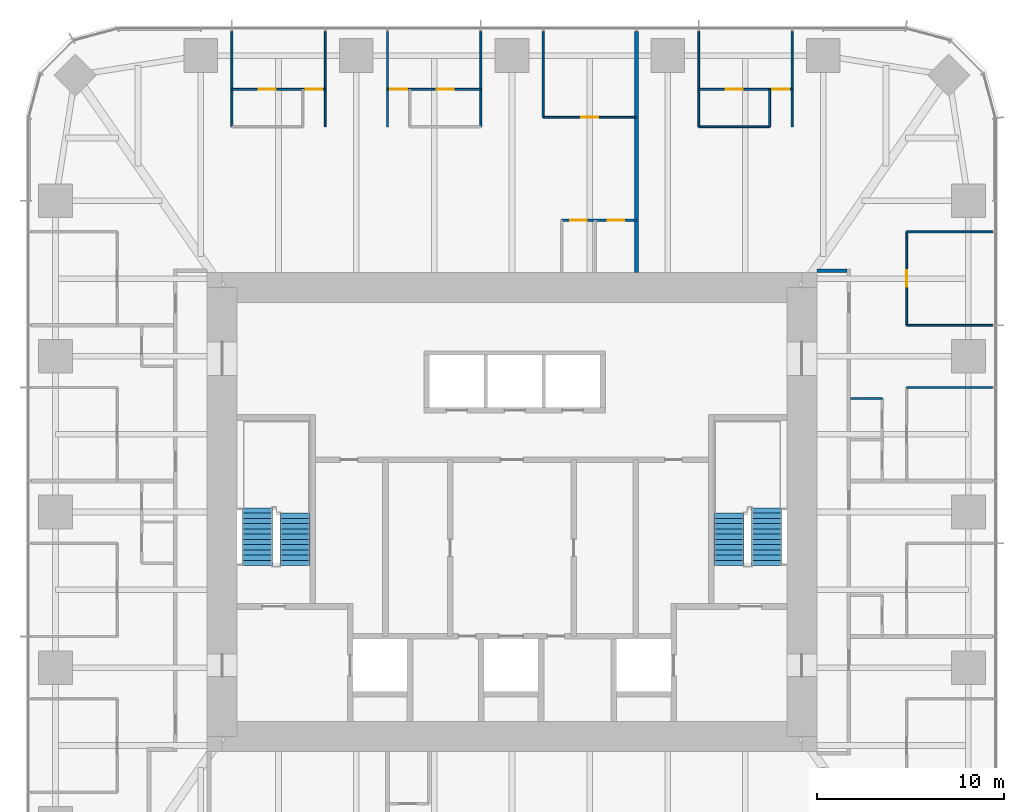
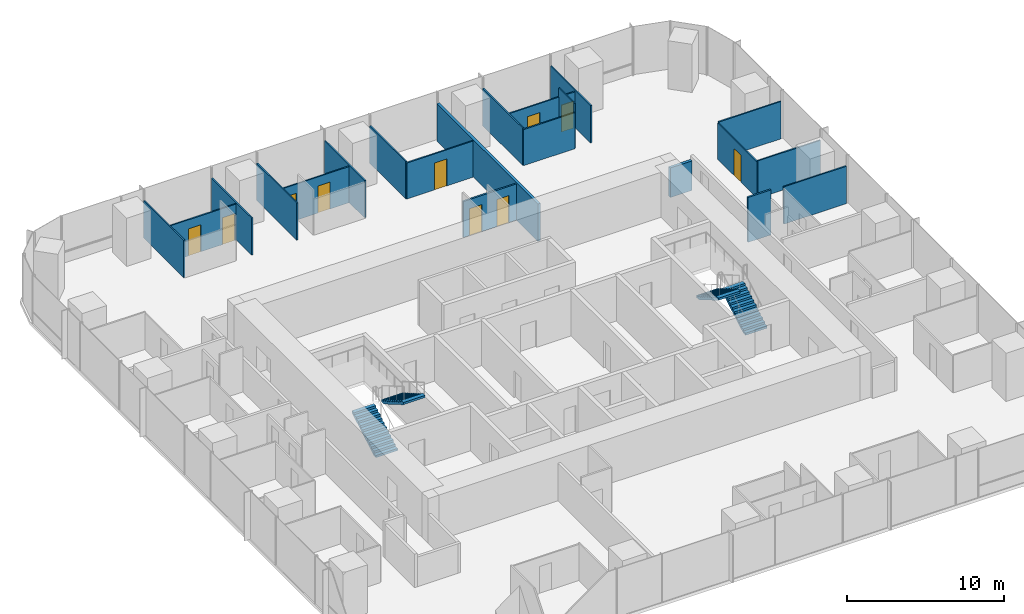
# One storey, part 11 of 12: 21 walls, 10 doors, 4 stair flights, 10 openings, 2 elements without a shape of their own.
"""IFC4 building model written with IfcOpenShell, lengths in metres."""

from ifc_helpers import new_model, si_unit, direction, frame, frame_2d, origin, place, context, subcontext, project, spatial, polyline, rectangle, outline, extrude, material, layer, layer_set, type_object, element, fill, aggregate, save


model = new_model("IFC4")

# Units and contexts
model_context = context("Model", 3, precision=1e-05, world=origin(), true_north=direction((0.0, 1.0)))
body_context = subcontext(model_context, "Body", "Model", "MODEL_VIEW")
ifc_project = project(units=[si_unit("LENGTHUNIT", "METRE"), si_unit("AREAUNIT", "SQUARE_METRE"), si_unit("VOLUMEUNIT", "CUBIC_METRE"), si_unit("PLANEANGLEUNIT", "RADIAN"), si_unit("MASSUNIT", "GRAM", prefix="KILO")], contexts=[model_context])

# Site, building, storey
site_placement = place(None, origin())
site = spatial("IfcSite", under=ifc_project, at=site_placement, CompositionType="ELEMENT")
building_placement = place(site_placement, origin())
building = spatial("IfcBuilding", under=site, at=building_placement, Name="Khuree Lantern Residences", CompositionType="ELEMENT")
storey_placement = place(building_placement, frame((0.0, 0.0, 244.5)))
storey = spatial("IfcBuildingStorey", under=building, at=storey_placement, Name="L61", CompositionType="ELEMENT", Elevation=244.5)

# Wall
ifc_material_1 = material(Name="Moisture-resistant gypsum board on steel studs", Category="steel")
ifc_layer_1 = layer(ifc_material_1, 0.125)
ifc_layer_set_1 = layer_set([ifc_layer_1], Name="BATHROOM WALL BTW125")
wall_type_1 = type_object("IfcWallType", Name="BATHROOM WALL BTW125", PredefinedType="PARTITIONING", material=ifc_layer_set_1)
wall_1_placement = place(storey_placement, frame((18.10009765625, 6.06396484375, 0.0), z_axis=(0.0, 0.0, 1.0), x_axis=(1.0, 0.0, 0.0)))
element("IfcWall", 1, at=wall_1_placement, inside=storey, type_object=wall_type_1, Name="L61 BATHROOM WALL 02", PredefinedType="PARTITIONING", context=body_context, shape_type="SweptSolid", body=[
    extrude(rectangle(XDim=1.699951171875, YDim=0.125, at=frame_2d((0.85009765625, 0.0))), origin(), (0.0, 0.0, 1.0), 3.5),
])

# Wall, openings, doors
wall_2_placement = place(storey_placement, frame((6.656005859375, 15.60009765625, 0.0), z_axis=(0.0, 0.0, 1.0), x_axis=(-1.0, 0.0, 0.0)))
wall_2 = element("IfcWall", 2, at=wall_2_placement, inside=storey, type_object=wall_type_1, Name="L61 BATHROOM WALL 03", PredefinedType="PARTITIONING", context=body_context, shape_type="SweptSolid", body=[
    extrude(rectangle(XDim=4.0, YDim=0.125, at=frame_2d((2.0, 0.0))), origin(), (0.0, 0.0, 1.0), 2.81005859375),
])
opening_1_placement = place(wall_2_placement, frame((0.64990234375, 0.0, 0.0)))
opening_1 = element("IfcOpeningElement", 3, at=opening_1_placement, cuts=wall_2, Name="Opening 61-036", PredefinedType="OPENING", context=body_context, shape_type="SweptSolid", body=[
    extrude(rectangle(XDim=0.89990234375, YDim=2.10009765625, at=frame_2d((0.449951171875, 1.050048828125))), frame((0.0, 0.072509765625, 0.0), z_axis=(0.0, -1.0, 0.0), x_axis=(1.0, 0.0, 0.0)), (0.0, 0.0, 1.0), 0.14501953125),
])
opening_2_placement = place(wall_2_placement, frame((2.64990234375, 0.0, 0.0)))
opening_2 = element("IfcOpeningElement", 4, at=opening_2_placement, cuts=wall_2, Name="Opening 61-037", PredefinedType="OPENING", context=body_context, shape_type="SweptSolid", body=[
    extrude(rectangle(XDim=0.89990234375, YDim=2.10009765625, at=frame_2d((0.449951171875, 1.050048828125))), frame((0.0, 0.072509765625, 0.0), z_axis=(0.0, -1.0, 0.0), x_axis=(1.0, 0.0, 0.0)), (0.0, 0.0, 1.0), 0.14501953125),
])
ifc_material_2 = material(Name="Timber door leaf in hardwood frame", Category="wood")
door_type_1 = type_object("IfcDoorType", Name="BATHROOM DOOR 900X2100", OperationType="SINGLE_SWING_LEFT", PredefinedType="DOOR", material=ifc_material_2)
door_1_placement = place(opening_1_placement, origin())
door_1 = element("IfcDoor", 5, at=door_1_placement, inside=storey, type_object=door_type_1, Name="Bathroom door 61-036", OperationType="SINGLE_SWING_LEFT", OverallHeight=2.10009765625, OverallWidth=0.89990234375, PredefinedType="DOOR", context=body_context, shape_type="SweptSolid", body=[
    extrude(rectangle(XDim=0.89990234375, YDim=2.10009765625, at=frame_2d((0.449951171875, 1.050048828125))), frame((0.0, 0.02490234375, 0.0), z_axis=(0.0, -1.0, 0.0), x_axis=(1.0, 0.0, 0.0)), (0.0, 0.0, 1.0), 0.050048828125),
])
fill(opening_1, door_1)
door_type_2 = type_object("IfcDoorType", Name="DOOR 900X2100", OperationType="SINGLE_SWING_LEFT", PredefinedType="DOOR", material=ifc_material_2)
door_2_placement = place(opening_2_placement, origin())
door_2 = element("IfcDoor", 6, at=door_2_placement, inside=storey, type_object=door_type_2, Name="Store door 61-037", OperationType="SINGLE_SWING_LEFT", OverallHeight=2.10009765625, OverallWidth=0.89990234375, PredefinedType="DOOR", context=body_context, shape_type="SweptSolid", body=[
    extrude(rectangle(XDim=0.89990234375, YDim=2.10009765625, at=frame_2d((0.449951171875, 1.050048828125))), frame((0.0, 0.02490234375, 0.0), z_axis=(0.0, -1.0, 0.0), x_axis=(1.0, 0.0, 0.0)), (0.0, 0.0, 1.0), 0.050048828125),
])
fill(opening_2, door_2)

# Walls
ifc_material_3 = material(Name="Gypsum board on steel studs", Category="steel")
ifc_layer_2 = layer(ifc_material_3, 0.199951171875)
ifc_layer_set_2 = layer_set([ifc_layer_2], Name="CORRIDOR WALL CRW200 EI 60")
wall_type_2 = type_object("IfcWallType", Name="CORRIDOR WALL CRW200 EI 60", PredefinedType="PARTITIONING", material=ifc_layer_set_2)
wall_3_placement = place(storey_placement, frame((16.300048828125, 12.89990234375, 0.0), z_axis=(0.0, 0.0, 1.0), x_axis=(1.0, 0.0, 0.0)))
element("IfcWall", 7, at=wall_3_placement, inside=storey, type_object=wall_type_2, Name="L61 EAST CORRIDOR NORTH END WALL", PredefinedType="PARTITIONING", context=body_context, shape_type="SweptSolid", body=[
    extrude(rectangle(XDim=1.599853515625, YDim=0.199951171875, at=frame_2d((0.7998046875, 0.0))), origin(), (0.0, 0.0, 1.0), 2.300048828125),
])
ifc_layer_3 = layer(ifc_material_3, 0.199951171875)
ifc_layer_set_3 = layer_set([ifc_layer_3], Name="DEMISING WALL DMW200 EI 90")
wall_type_3 = type_object("IfcWallType", Name="DEMISING WALL DMW200 EI 90", PredefinedType="PARTITIONING", material=ifc_layer_set_3)
wall_4_placement = place(storey_placement, frame((6.656005859375, 12.800048828125, 0.0), z_axis=(0.0, 0.0, 1.0), x_axis=(0.0, 1.0, 0.0)))
element("IfcWall", 8, at=wall_4_placement, inside=storey, type_object=wall_type_3, Name="L61 DEMISING WALL 03", PredefinedType="PARTITIONING", context=body_context, shape_type="SweptSolid", body=[
    extrude(rectangle(XDim=12.89990234375, YDim=0.199951171875, at=frame_2d((6.449951171875, 0.0))), origin(), (0.0, 0.0, 1.0), 2.909912109375),
])
ifc_layer_4 = layer(ifc_material_3, 0.10009765625)
ifc_layer_set_4 = layer_set([ifc_layer_4], Name="PARTITION PT100")
wall_type_4 = type_object("IfcWallType", Name="PARTITION PT100", PredefinedType="PARTITIONING", material=ifc_layer_set_4)
for number, where, z_axis, x_axis, name in (
    (9, (21.10009765625, 6.656005859375, 0.0), (0.0, 0.0, 1.0), (1.0, 0.0, 0.0), "L61 PARTITION 02"),
    (10, (21.10009765625, 9.98388671875, 0.0), (0.0, 0.0, 1.0), (1.0, 0.0, 0.0), "L61 PARTITION 02"),
    (11, (21.10009765625, 14.97607421875, 0.0), (0.0, 0.0, 1.0), (1.0, 0.0, 0.0), "L61 PARTITION 02"),
):
    element("IfcWall", number, at=place(storey_placement, frame(where, z_axis=z_axis, x_axis=x_axis)), inside=storey, type_object=wall_type_4, Name=name, PredefinedType="PARTITIONING", context=body_context, shape_type="SweptSolid", body=[
        extrude(rectangle(XDim=4.599853515625, YDim=0.10009765625, at=frame_2d((2.2998046875, 0.0))), origin(), (0.0, 0.0, 1.0), 2.909912109375),
    ])
for number, where, z_axis, x_axis, name in (
    (12, (14.97607421875, 20.594970703125, 0.0), (0.0, 0.0, 1.0), (0.0, 1.0, 0.0), "L61 PARTITION 02"),
    (13, (9.98388671875, 20.594970703125, 0.0), (0.0, 0.0, 1.0), (0.0, 1.0, 0.0), "L61 PARTITION 02"),
):
    element("IfcWall", number, at=place(storey_placement, frame(where, z_axis=z_axis, x_axis=x_axis)), inside=storey, type_object=wall_type_4, Name=name, PredefinedType="PARTITIONING", context=body_context, shape_type="SweptSolid", body=[
        extrude(rectangle(XDim=5.10498046875, YDim=0.10009765625, at=frame_2d((2.552490234375, 0.0))), origin(), (0.0, 0.0, 1.0), 2.909912109375),
    ])
wall_5_placement = place(storey_placement, frame((1.6640625, 21.10009765625, 0.0), z_axis=(0.0, 0.0, 1.0), x_axis=(0.0, 1.0, 0.0)))
element("IfcWall", 14, at=wall_5_placement, inside=storey, type_object=wall_type_4, Name="L61 PARTITION 03", PredefinedType="PARTITIONING", context=body_context, shape_type="SweptSolid", body=[
    extrude(rectangle(XDim=4.599853515625, YDim=0.10009765625, at=frame_2d((2.2998046875, 0.0))), origin(), (0.0, 0.0, 1.0), 2.909912109375),
])
for number, where, z_axis, x_axis, name in (
    (15, (-1.6640625, 20.594970703125, 0.0), (0.0, 0.0, 1.0), (0.0, 1.0, 0.0), "L61 PARTITION 03"),
    (16, (-6.656005859375, 20.594970703125, 0.0), (0.0, 0.0, 1.0), (0.0, 1.0, 0.0), "L61 PARTITION 03"),
    (17, (-9.98388671875, 20.594970703125, 0.0), (0.0, 0.0, 1.0), (0.0, 1.0, 0.0), "L61 PARTITION 03"),
    (18, (-14.97607421875, 20.594970703125, 0.0), (0.0, 0.0, 1.0), (0.0, 1.0, 0.0), "L61 PARTITION 03"),
):
    element("IfcWall", number, at=place(storey_placement, frame(where, z_axis=z_axis, x_axis=x_axis)), inside=storey, type_object=wall_type_4, Name=name, PredefinedType="PARTITIONING", context=body_context, shape_type="SweptSolid", body=[
        extrude(rectangle(XDim=5.10498046875, YDim=0.10009765625, at=frame_2d((2.552490234375, 0.0))), origin(), (0.0, 0.0, 1.0), 2.909912109375),
    ])

# Wall, opening, door
wall_6_placement = place(storey_placement, frame((21.10009765625, 9.98388671875, 0.0), z_axis=(0.0, 0.0, 1.0), x_axis=(0.0, 1.0, 0.0)))
wall_6 = element("IfcWall", 19, at=wall_6_placement, inside=storey, type_object=wall_type_4, Name="L61 PARTITION 02", PredefinedType="PARTITIONING", context=body_context, shape_type="SweptSolid", body=[
    extrude(rectangle(XDim=4.9921875, YDim=0.10009765625, at=frame_2d((2.49609375, 0.0))), origin(), (0.0, 0.0, 1.0), 2.81005859375),
])
opening_3_placement = place(wall_6_placement, frame((2.0458984375, 0.0, 0.0)))
opening_3 = element("IfcOpeningElement", 20, at=opening_3_placement, cuts=wall_6, Name="Opening 61-024", PredefinedType="OPENING", context=body_context, shape_type="SweptSolid", body=[
    extrude(rectangle(XDim=0.89990234375, YDim=2.10009765625, at=frame_2d((0.449951171875, 1.050048828125))), frame((0.0, 0.06005859375, 0.0), z_axis=(0.0, -1.0, 0.0), x_axis=(1.0, 0.0, 0.0)), (0.0, 0.0, 1.0), 0.1201171875),
])
door_type_3 = type_object("IfcDoorType", Name="BEDROOM DOOR 900X2100", OperationType="SINGLE_SWING_LEFT", PredefinedType="DOOR", material=ifc_material_2)
door_3_placement = place(opening_3_placement, origin())
door_3 = element("IfcDoor", 21, at=door_3_placement, inside=storey, type_object=door_type_3, Name="Bedroom door 61-024", OperationType="SINGLE_SWING_LEFT", OverallHeight=2.10009765625, OverallWidth=0.89990234375, PredefinedType="DOOR", context=body_context, shape_type="SweptSolid", body=[
    extrude(rectangle(XDim=0.89990234375, YDim=2.10009765625, at=frame_2d((0.449951171875, 1.050048828125))), frame((0.0, 0.02490234375, 0.0), z_axis=(0.0, -1.0, 0.0), x_axis=(1.0, 0.0, 0.0)), (0.0, 0.0, 1.0), 0.050048828125),
])
fill(opening_3, door_3)

# Wall, openings, doors
wall_7_placement = place(storey_placement, frame((14.97607421875, 22.594970703125, 0.0), z_axis=(0.0, 0.0, 1.0), x_axis=(-1.0, 0.0, 0.0)))
wall_7 = element("IfcWall", 22, at=wall_7_placement, inside=storey, type_object=wall_type_4, Name="L61 PARTITION 02", PredefinedType="PARTITIONING", context=body_context, shape_type="SweptSolid", body=[
    extrude(rectangle(XDim=4.9921875, YDim=0.10009765625, at=frame_2d((2.49609375, 0.0))), origin(), (0.0, 0.0, 1.0), 2.81005859375),
])
opening_4_placement = place(wall_7_placement, frame((0.14990234375, 0.0, 0.0)))
opening_4 = element("IfcOpeningElement", 23, at=opening_4_placement, cuts=wall_7, Name="Opening 61-025", PredefinedType="OPENING", context=body_context, shape_type="SweptSolid", body=[
    extrude(rectangle(XDim=0.89990234375, YDim=2.10009765625, at=frame_2d((0.449951171875, 1.050048828125))), frame((0.0, 0.06005859375, 0.0), z_axis=(0.0, -1.0, 0.0), x_axis=(1.0, 0.0, 0.0)), (0.0, 0.0, 1.0), 0.1201171875),
])
opening_5_placement = place(wall_7_placement, frame((2.64599609375, 0.0, 0.0)))
opening_5 = element("IfcOpeningElement", 24, at=opening_5_placement, cuts=wall_7, Name="Opening 61-026", PredefinedType="OPENING", context=body_context, shape_type="SweptSolid", body=[
    extrude(rectangle(XDim=0.89990234375, YDim=2.10009765625, at=frame_2d((0.449951171875, 1.050048828125))), frame((0.0, 0.06005859375, 0.0), z_axis=(0.0, -1.0, 0.0), x_axis=(1.0, 0.0, 0.0)), (0.0, 0.0, 1.0), 0.1201171875),
])
door_4_placement = place(opening_4_placement, origin())
door_4 = element("IfcDoor", 25, at=door_4_placement, inside=storey, type_object=door_type_3, Name="Bedroom door 61-025", OperationType="SINGLE_SWING_LEFT", OverallHeight=2.10009765625, OverallWidth=0.89990234375, PredefinedType="DOOR", context=body_context, shape_type="SweptSolid", body=[
    extrude(rectangle(XDim=0.89990234375, YDim=2.10009765625, at=frame_2d((0.449951171875, 1.050048828125))), frame((0.0, 0.02490234375, 0.0), z_axis=(0.0, -1.0, 0.0), x_axis=(1.0, 0.0, 0.0)), (0.0, 0.0, 1.0), 0.050048828125),
])
fill(opening_4, door_4)
door_5_placement = place(opening_5_placement, origin())
door_5 = element("IfcDoor", 26, at=door_5_placement, inside=storey, type_object=door_type_2, Name="Wardrobe door 61-026", OperationType="SINGLE_SWING_LEFT", OverallHeight=2.10009765625, OverallWidth=0.89990234375, PredefinedType="DOOR", context=body_context, shape_type="SweptSolid", body=[
    extrude(rectangle(XDim=0.89990234375, YDim=2.10009765625, at=frame_2d((0.449951171875, 1.050048828125))), frame((0.0, 0.02490234375, 0.0), z_axis=(0.0, -1.0, 0.0), x_axis=(1.0, 0.0, 0.0)), (0.0, 0.0, 1.0), 0.050048828125),
])
fill(opening_5, door_5)

# Walls
wall_8_placement = place(storey_placement, frame((13.77587890625, 20.594970703125, 0.0), z_axis=(0.0, 0.0, 1.0), x_axis=(0.0, 1.0, 0.0)))
element("IfcWall", 27, at=wall_8_placement, inside=storey, type_object=wall_type_4, Name="L61 PARTITION 02", PredefinedType="PARTITIONING", context=body_context, shape_type="SweptSolid", body=[
    extrude(rectangle(XDim=2.0, YDim=0.10009765625, at=frame_2d((1.0, 0.0))), origin(), (0.0, 0.0, 1.0), 3.5),
])
wall_9_placement = place(storey_placement, frame((13.77587890625, 20.594970703125, 0.0), z_axis=(0.0, 0.0, 1.0), x_axis=(-1.0, 0.0, 0.0)))
element("IfcWall", 28, at=wall_9_placement, inside=storey, type_object=wall_type_4, Name="L61 PARTITION 02", PredefinedType="PARTITIONING", context=body_context, shape_type="SweptSolid", body=[
    extrude(rectangle(XDim=3.7919921875, YDim=0.10009765625, at=frame_2d((1.89599609375, 0.0))), origin(), (0.0, 0.0, 1.0), 2.81005859375),
])

# Wall, opening, door
wall_10_placement = place(storey_placement, frame((6.656005859375, 21.10009765625, 0.0), z_axis=(0.0, 0.0, 1.0), x_axis=(-1.0, 0.0, 0.0)))
wall_10 = element("IfcWall", 29, at=wall_10_placement, inside=storey, type_object=wall_type_4, Name="L61 PARTITION 03", PredefinedType="PARTITIONING", context=body_context, shape_type="SweptSolid", body=[
    extrude(rectangle(XDim=4.991943359375, YDim=0.10009765625, at=frame_2d((2.49609375, 0.0))), origin(), (0.0, 0.0, 1.0), 2.81005859375),
])
opening_6_placement = place(wall_10_placement, frame((2.0458984375, 0.0, 0.0)))
opening_6 = element("IfcOpeningElement", 30, at=opening_6_placement, cuts=wall_10, Name="Opening 61-030", PredefinedType="OPENING", context=body_context, shape_type="SweptSolid", body=[
    extrude(rectangle(XDim=0.89990234375, YDim=2.10009765625, at=frame_2d((0.449951171875, 1.050048828125))), frame((0.0, 0.06005859375, 0.0), z_axis=(0.0, -1.0, 0.0), x_axis=(1.0, 0.0, 0.0)), (0.0, 0.0, 1.0), 0.1201171875),
])
door_6_placement = place(opening_6_placement, origin())
door_6 = element("IfcDoor", 31, at=door_6_placement, inside=storey, type_object=door_type_3, Name="Bedroom door 61-030", OperationType="SINGLE_SWING_LEFT", OverallHeight=2.10009765625, OverallWidth=0.89990234375, PredefinedType="DOOR", context=body_context, shape_type="SweptSolid", body=[
    extrude(rectangle(XDim=0.89990234375, YDim=2.10009765625, at=frame_2d((0.449951171875, 1.050048828125))), frame((0.0, 0.02490234375, 0.0), z_axis=(0.0, -1.0, 0.0), x_axis=(1.0, 0.0, 0.0)), (0.0, 0.0, 1.0), 0.050048828125),
])
fill(opening_6, door_6)

# Wall, openings, doors
wall_11_placement = place(storey_placement, frame((-1.6640625, 22.594970703125, 0.0), z_axis=(0.0, 0.0, 1.0), x_axis=(-1.0, 0.0, 0.0)))
wall_11 = element("IfcWall", 32, at=wall_11_placement, inside=storey, type_object=wall_type_4, Name="L61 PARTITION 03", PredefinedType="PARTITIONING", context=body_context, shape_type="SweptSolid", body=[
    extrude(rectangle(XDim=4.991943359375, YDim=0.10009765625, at=frame_2d((2.49609375, 0.0))), origin(), (0.0, 0.0, 1.0), 2.81005859375),
])
opening_7_placement = place(wall_11_placement, frame((3.94189453125, 0.0, 0.0)))
opening_7 = element("IfcOpeningElement", 33, at=opening_7_placement, cuts=wall_11, Name="Opening 61-031", PredefinedType="OPENING", context=body_context, shape_type="SweptSolid", body=[
    extrude(rectangle(XDim=0.89990234375, YDim=2.10009765625, at=frame_2d((0.449951171875, 1.050048828125))), frame((0.0, 0.06005859375, 0.0), z_axis=(0.0, -1.0, 0.0), x_axis=(1.0, 0.0, 0.0)), (0.0, 0.0, 1.0), 0.1201171875),
])
opening_8_placement = place(wall_11_placement, frame((1.446044921875, 0.0, 0.0)))
opening_8 = element("IfcOpeningElement", 34, at=opening_8_placement, cuts=wall_11, Name="Opening 61-032", PredefinedType="OPENING", context=body_context, shape_type="SweptSolid", body=[
    extrude(rectangle(XDim=0.89990234375, YDim=2.10009765625, at=frame_2d((0.449951171875, 1.050048828125))), frame((0.0, 0.06005859375, 0.0), z_axis=(0.0, -1.0, 0.0), x_axis=(1.0, 0.0, 0.0)), (0.0, 0.0, 1.0), 0.1201171875),
])
door_7_placement = place(opening_8_placement, origin())
door_7 = element("IfcDoor", 35, at=door_7_placement, inside=storey, type_object=door_type_1, Name="Bathroom door 61-032", OperationType="SINGLE_SWING_LEFT", OverallHeight=2.10009765625, OverallWidth=0.89990234375, PredefinedType="DOOR", context=body_context, shape_type="SweptSolid", body=[
    extrude(rectangle(XDim=0.89990234375, YDim=2.10009765625, at=frame_2d((0.449951171875, 1.050048828125))), frame((0.0, 0.02490234375, 0.0), z_axis=(0.0, -1.0, 0.0), x_axis=(1.0, 0.0, 0.0)), (0.0, 0.0, 1.0), 0.050048828125),
])
fill(opening_8, door_7)
door_8_placement = place(opening_7_placement, origin())
door_8 = element("IfcDoor", 36, at=door_8_placement, inside=storey, type_object=door_type_3, Name="Bedroom door 61-031", OperationType="SINGLE_SWING_LEFT", OverallHeight=2.10009765625, OverallWidth=0.89990234375, PredefinedType="DOOR", context=body_context, shape_type="SweptSolid", body=[
    extrude(rectangle(XDim=0.89990234375, YDim=2.10009765625, at=frame_2d((0.449951171875, 1.050048828125))), frame((0.0, 0.02490234375, 0.0), z_axis=(0.0, -1.0, 0.0), x_axis=(1.0, 0.0, 0.0)), (0.0, 0.0, 1.0), 0.050048828125),
])
fill(opening_7, door_8)

wall_12_placement = place(storey_placement, frame((-9.98388671875, 22.594970703125, 0.0), z_axis=(0.0, 0.0, 1.0), x_axis=(-1.0, 0.0, 0.0)))
wall_12 = element("IfcWall", 37, at=wall_12_placement, inside=storey, type_object=wall_type_4, Name="L61 PARTITION 03", PredefinedType="PARTITIONING", context=body_context, shape_type="SweptSolid", body=[
    extrude(rectangle(XDim=4.9921875, YDim=0.10009765625, at=frame_2d((2.49609375, 0.0))), origin(), (0.0, 0.0, 1.0), 2.81005859375),
])
opening_9_placement = place(wall_12_placement, frame((0.14990234375, 0.0, 0.0)))
opening_9 = element("IfcOpeningElement", 38, at=opening_9_placement, cuts=wall_12, Name="Opening 61-033", PredefinedType="OPENING", context=body_context, shape_type="SweptSolid", body=[
    extrude(rectangle(XDim=0.89990234375, YDim=2.10009765625, at=frame_2d((0.449951171875, 1.050048828125))), frame((0.0, 0.06005859375, 0.0), z_axis=(0.0, -1.0, 0.0), x_axis=(1.0, 0.0, 0.0)), (0.0, 0.0, 1.0), 0.1201171875),
])
opening_10_placement = place(wall_12_placement, frame((2.64599609375, 0.0, 0.0)))
opening_10 = element("IfcOpeningElement", 39, at=opening_10_placement, cuts=wall_12, Name="Opening 61-034", PredefinedType="OPENING", context=body_context, shape_type="SweptSolid", body=[
    extrude(rectangle(XDim=0.89990234375, YDim=2.10009765625, at=frame_2d((0.449951171875, 1.050048828125))), frame((0.0, 0.06005859375, 0.0), z_axis=(0.0, -1.0, 0.0), x_axis=(1.0, 0.0, 0.0)), (0.0, 0.0, 1.0), 0.1201171875),
])
door_9_placement = place(opening_9_placement, origin())
door_9 = element("IfcDoor", 40, at=door_9_placement, inside=storey, type_object=door_type_3, Name="Bedroom door 61-033", OperationType="SINGLE_SWING_LEFT", OverallHeight=2.10009765625, OverallWidth=0.89990234375, PredefinedType="DOOR", context=body_context, shape_type="SweptSolid", body=[
    extrude(rectangle(XDim=0.89990234375, YDim=2.10009765625, at=frame_2d((0.449951171875, 1.050048828125))), frame((0.0, 0.02490234375, 0.0), z_axis=(0.0, -1.0, 0.0), x_axis=(1.0, 0.0, 0.0)), (0.0, 0.0, 1.0), 0.050048828125),
])
fill(opening_9, door_9)
door_10_placement = place(opening_10_placement, origin())
door_10 = element("IfcDoor", 41, at=door_10_placement, inside=storey, type_object=door_type_2, Name="Wardrobe door 61-034", OperationType="SINGLE_SWING_LEFT", OverallHeight=2.10009765625, OverallWidth=0.89990234375, PredefinedType="DOOR", context=body_context, shape_type="SweptSolid", body=[
    extrude(rectangle(XDim=0.89990234375, YDim=2.10009765625, at=frame_2d((0.449951171875, 1.050048828125))), frame((0.0, 0.02490234375, 0.0), z_axis=(0.0, -1.0, 0.0), x_axis=(1.0, 0.0, 0.0)), (0.0, 0.0, 1.0), 0.050048828125),
])
fill(opening_10, door_10)

# Stair, stair flights
ifc_material_4 = material(Name="Concrete C40/50", Category="concrete")
stair_type = type_object("IfcStairType", Name="STAIR ST1 HALF TURN 3600", PredefinedType="HALF_TURN_STAIR", material=ifc_material_4)
stair_1_placement = place(storey_placement, origin())
stair_1 = element("IfcStair", 42, at=stair_1_placement, inside=storey, type_object=stair_type, Name="Stair ST1", PredefinedType="HALF_TURN_STAIR")
stair_flight_type = type_object("IfcStairFlightType", Name="STAIR FLIGHT SF1 1600", PredefinedType="STRAIGHT", material=ifc_material_4)
stair_flight_1_placement = place(storey_placement, frame((-13.60009765625, -2.860107421875, 0.0), z_axis=(0.0, 0.0, 1.0), x_axis=(0.0, 1.0, 0.0)))
stair_flight_1 = element("IfcStairFlight", 43, at=stair_flight_1_placement, type_object=stair_flight_type, Name="ST1 flight 1", NumberOfRisers=12, NumberOfTreads=11, PredefinedType="STRAIGHT", RiserHeight=0.163043478, TreadLength=0.28, context=body_context, shape_type="SweptSolid", body=[
    extrude(outline(polyline([(0.0, 0.0), (0.0, 0.1630859375), (0.280029296875, 0.1630859375), (0.280029296875, 0.326171875), (0.56005859375, 0.326171875), (0.56005859375, 0.489013671875), (0.840087890625, 0.489013671875), (0.840087890625, 0.652099609375), (1.1201171875, 0.652099609375), (1.1201171875, 0.815185546875), (1.39990234375, 0.815185546875), (1.39990234375, 0.978271484375), (1.679931640625, 0.978271484375), (1.679931640625, 1.141357421875), (1.9599609375, 1.141357421875), (1.9599609375, 1.304443359375), (2.239990234375, 1.304443359375), (2.239990234375, 1.46728515625), (2.52001953125, 1.46728515625), (2.52001953125, 1.63037109375), (2.800048828125, 1.63037109375), (2.800048828125, 1.79345703125), (3.080078125, 1.79345703125), (3.080078125, 1.95654296875), (3.080078125, 1.6201171875), (0.2978515625, 0.0), (0.0, 0.0)])), frame((0.0, 0.800048828125, 0.0), z_axis=(0.0, -1.0, 0.0), x_axis=(1.0, 0.0, 0.0)), (0.0, 0.0, 1.0), 1.60009765625),
])
stair_flight_2_placement = place(storey_placement, frame((-11.60009765625, -0.06005859375, 1.95654296875), z_axis=(0.0, 0.0, 1.0), x_axis=(0.0, -1.0, 0.0)))
stair_flight_2 = element("IfcStairFlight", 44, at=stair_flight_2_placement, type_object=stair_flight_type, Name="ST1 flight 2", NumberOfRisers=11, NumberOfTreads=10, PredefinedType="STRAIGHT", RiserHeight=0.163043478, TreadLength=0.28, context=body_context, shape_type="SweptSolid", body=[
    extrude(outline(polyline([(0.0, 0.0), (0.0, 0.1630859375), (0.280029296875, 0.1630859375), (0.280029296875, 0.326171875), (0.56005859375, 0.326171875), (0.56005859375, 0.489013671875), (0.840087890625, 0.489013671875), (0.840087890625, 0.652099609375), (1.1201171875, 0.652099609375), (1.1201171875, 0.815185546875), (1.39990234375, 0.815185546875), (1.39990234375, 0.978271484375), (1.679931640625, 0.978271484375), (1.679931640625, 1.141357421875), (1.9599609375, 1.141357421875), (1.9599609375, 1.304443359375), (2.239990234375, 1.304443359375), (2.239990234375, 1.46728515625), (2.52001953125, 1.46728515625), (2.52001953125, 1.63037109375), (2.800048828125, 1.63037109375), (2.800048828125, 1.79345703125), (2.800048828125, 1.45703125), (0.2978515625, 0.0), (0.0, 0.0)])), frame((0.0, 0.800048828125, 0.0), z_axis=(0.0, -1.0, 0.0), x_axis=(1.0, 0.0, 0.0)), (0.0, 0.0, 1.0), 1.60009765625),
])
aggregate(stair_1, [stair_flight_1, stair_flight_2])

stair_2_placement = place(storey_placement, origin())
stair_2 = element("IfcStair", 45, at=stair_2_placement, inside=storey, type_object=stair_type, Name="Stair ST2", PredefinedType="HALF_TURN_STAIR")
stair_flight_3_placement = place(storey_placement, frame((13.60009765625, -2.860107421875, 0.0), z_axis=(0.0, 0.0, 1.0), x_axis=(0.0, 1.0, 0.0)))
stair_flight_3 = element("IfcStairFlight", 46, at=stair_flight_3_placement, type_object=stair_flight_type, Name="ST2 flight 1", NumberOfRisers=12, NumberOfTreads=11, PredefinedType="STRAIGHT", RiserHeight=0.163043478, TreadLength=0.28, context=body_context, shape_type="SweptSolid", body=[
    extrude(outline(polyline([(0.0, 0.0), (0.0, 0.1630859375), (0.280029296875, 0.1630859375), (0.280029296875, 0.326171875), (0.56005859375, 0.326171875), (0.56005859375, 0.489013671875), (0.840087890625, 0.489013671875), (0.840087890625, 0.652099609375), (1.1201171875, 0.652099609375), (1.1201171875, 0.815185546875), (1.39990234375, 0.815185546875), (1.39990234375, 0.978271484375), (1.679931640625, 0.978271484375), (1.679931640625, 1.141357421875), (1.9599609375, 1.141357421875), (1.9599609375, 1.304443359375), (2.239990234375, 1.304443359375), (2.239990234375, 1.46728515625), (2.52001953125, 1.46728515625), (2.52001953125, 1.63037109375), (2.800048828125, 1.63037109375), (2.800048828125, 1.79345703125), (3.080078125, 1.79345703125), (3.080078125, 1.95654296875), (3.080078125, 1.6201171875), (0.2978515625, 0.0), (0.0, 0.0)])), frame((0.0, 0.800048828125, 0.0), z_axis=(0.0, -1.0, 0.0), x_axis=(1.0, 0.0, 0.0)), (0.0, 0.0, 1.0), 1.60009765625),
])
stair_flight_4_placement = place(storey_placement, frame((11.60009765625, -0.06005859375, 1.95654296875), z_axis=(0.0, 0.0, 1.0), x_axis=(0.0, -1.0, 0.0)))
stair_flight_4 = element("IfcStairFlight", 47, at=stair_flight_4_placement, type_object=stair_flight_type, Name="ST2 flight 2", NumberOfRisers=11, NumberOfTreads=10, PredefinedType="STRAIGHT", RiserHeight=0.163043478, TreadLength=0.28, context=body_context, shape_type="SweptSolid", body=[
    extrude(outline(polyline([(0.0, 0.0), (0.0, 0.1630859375), (0.280029296875, 0.1630859375), (0.280029296875, 0.326171875), (0.56005859375, 0.326171875), (0.56005859375, 0.489013671875), (0.840087890625, 0.489013671875), (0.840087890625, 0.652099609375), (1.1201171875, 0.652099609375), (1.1201171875, 0.815185546875), (1.39990234375, 0.815185546875), (1.39990234375, 0.978271484375), (1.679931640625, 0.978271484375), (1.679931640625, 1.141357421875), (1.9599609375, 1.141357421875), (1.9599609375, 1.304443359375), (2.239990234375, 1.304443359375), (2.239990234375, 1.46728515625), (2.52001953125, 1.46728515625), (2.52001953125, 1.63037109375), (2.800048828125, 1.63037109375), (2.800048828125, 1.79345703125), (2.800048828125, 1.45703125), (0.2978515625, 0.0), (0.0, 0.0)])), frame((0.0, 0.800048828125, 0.0), z_axis=(0.0, -1.0, 0.0), x_axis=(1.0, 0.0, 0.0)), (0.0, 0.0, 1.0), 1.60009765625),
])
aggregate(stair_2, [stair_flight_3, stair_flight_4])

save(model, "model.ifc")
